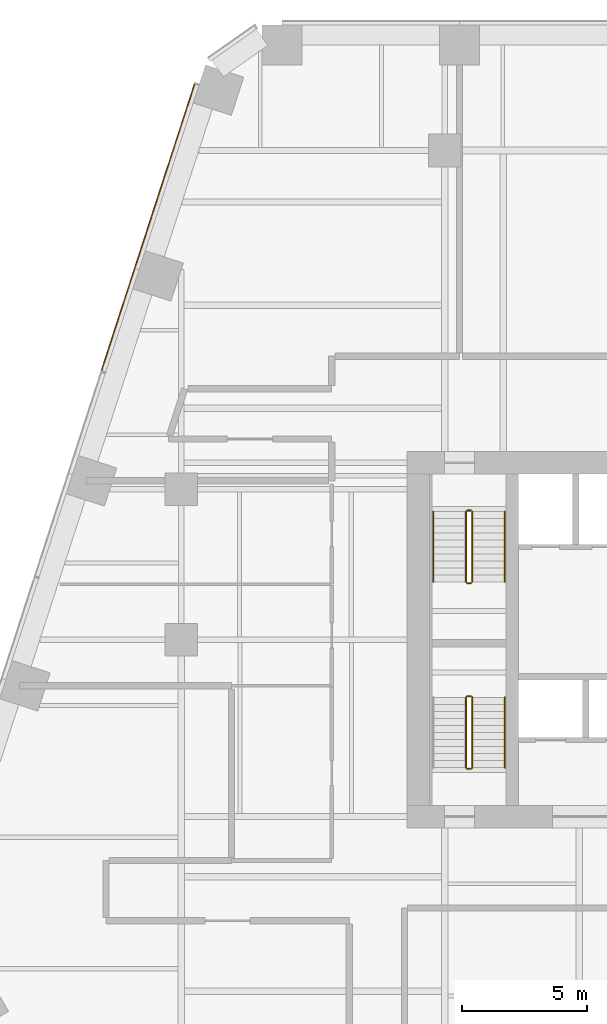
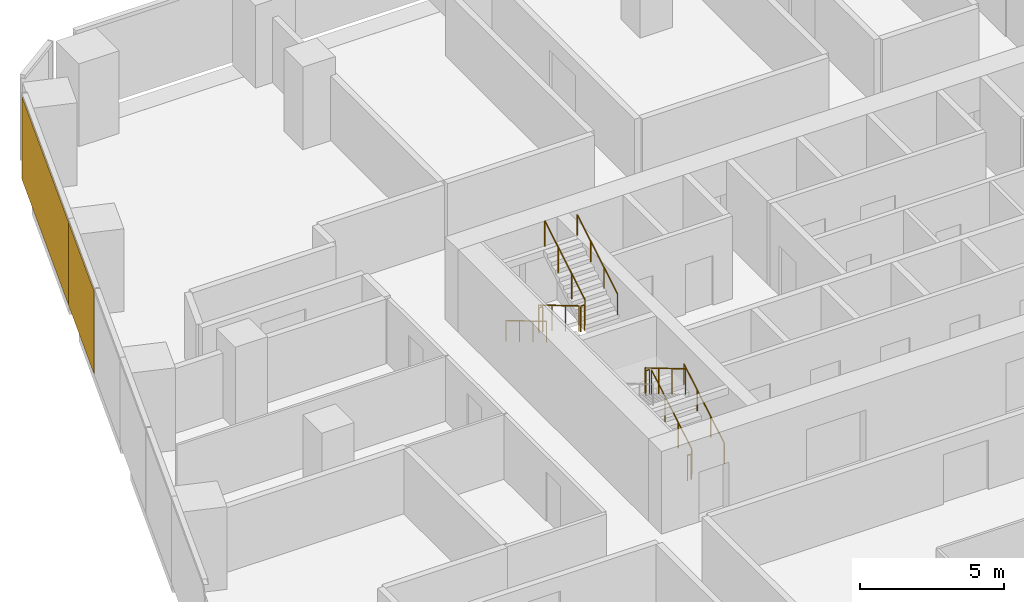
# One storey, part 19 of 21: 11 railings, 2 coverings, 1 element without a shape of its own.
"""IFC4 building model written with IfcOpenShell, lengths in metres."""

import ifcopenshell
import ifcopenshell.guid

model = None  # the IFC model being written
_history = None  # IfcOwnerHistory: only IFC2X3 demands one
_inside = {}  # id of a spatial element -> (the spatial element, [elements in it])
_under = {}  # id of a project, library or spatial element -> (it, [spatial elements below it])
_declared = {}  # id of a project -> (the project, [libraries it declares])
_typed = {}  # id of a type object -> (the type object, [elements of that type])
_made_of = {}  # id of a material, layer set ... -> (it, [elements and type objects made of it])


def new_model(schema):
    """Start an empty IFC model of exactly this schema.

    Asked for "IFC4X3", IfcOpenShell would pick the latest addendum, in which some entities
    have other attributes; the version numbers below select the first issue.
    IFC2X3 requires an IfcOwnerHistory on every rooted entity: one is made here for all.
    """
    global model, _history
    if schema == "IFC4X3":
        model = ifcopenshell.file(schema_version=(4, 3, 0, 0))
    else:
        model = ifcopenshell.file(schema=schema)
    _inside.clear()
    _under.clear()
    _declared.clear()
    _typed.clear()
    _made_of.clear()
    _history = None
    if model.schema == "IFC2X3":
        org = make("IfcOrganization", Name="unknown")
        user = make(
            "IfcPersonAndOrganization",
            ThePerson=make("IfcPerson", FamilyName="unknown"),
            TheOrganization=org,
        )
        app = make(
            "IfcApplication",
            ApplicationDeveloper=org,
            Version="unknown",
            ApplicationFullName="unknown",
            ApplicationIdentifier="unknown",
        )
        _history = make(
            "IfcOwnerHistory",
            OwningUser=user,
            OwningApplication=app,
            ChangeAction="ADDED",
            CreationDate=0,
        )
    return model


def make(cls, **values):
    """One entity of the class cls with the attributes given. An attribute that is None is left unset."""
    return model.create_entity(
        cls, **{name: value for name, value in values.items() if value is not None}
    )


def rooted(cls, **values):
    """An entity with a GlobalId (a new one), such as an element, a storey or a relation."""
    return make(cls, GlobalId=ifcopenshell.guid.new(), OwnerHistory=_history, **values)


def si_unit(unit_type, name, prefix=None):
    """IfcSIUnit, for example si_unit("LENGTHUNIT", "METRE", prefix="MILLI")."""
    return make("IfcSIUnit", UnitType=unit_type, Prefix=prefix, Name=name)


def assignment(units):
    """IfcUnitAssignment: the units of a project."""
    return None if units is None else make("IfcUnitAssignment", Units=units)


def point(xyz):
    """IfcCartesianPoint."""
    return None if xyz is None else make("IfcCartesianPoint", Coordinates=xyz)


def direction(xyz):
    """IfcDirection."""
    return None if xyz is None else make("IfcDirection", DirectionRatios=xyz)


def frame(location, z_axis=None, x_axis=None):
    """IfcAxis2Placement3D, a coordinate frame: its origin and axes. An axis left out is left unset."""
    return make(
        "IfcAxis2Placement3D",
        Location=point(location),
        Axis=direction(z_axis),
        RefDirection=direction(x_axis),
    )


def frame_2d(location, x_axis=None):
    """IfcAxis2Placement2D, a coordinate frame in the plane: its origin and x axis."""
    return make(
        "IfcAxis2Placement2D", Location=point(location), RefDirection=direction(x_axis)
    )


def origin():
    """The frame at (0, 0, 0) with its axes left unset."""
    return frame((0.0, 0.0, 0.0))


def origin_2d():
    """The frame at (0, 0) in the plane with its x axis left unset."""
    return frame_2d((0.0, 0.0))


def place(relative_to, where):
    """IfcLocalPlacement: puts the frame where relative to a parent placement (None: the world)."""
    return make(
        "IfcLocalPlacement", PlacementRelTo=relative_to, RelativePlacement=where
    )


def context(
    kind, dimensions, precision=None, world=None, true_north=None, identifier=None
):
    """IfcGeometricRepresentationContext, for example the 3D "Model" context."""
    return make(
        "IfcGeometricRepresentationContext",
        ContextIdentifier=identifier,
        ContextType=kind,
        CoordinateSpaceDimension=dimensions,
        Precision=precision,
        WorldCoordinateSystem=world,
        TrueNorth=true_north,
    )


def subcontext(parent, identifier, kind, view, scale=None):
    """IfcGeometricRepresentationSubContext, for example "Body" below "Model"."""
    return make(
        "IfcGeometricRepresentationSubContext",
        ContextIdentifier=identifier,
        ContextType=kind,
        ParentContext=parent,
        TargetScale=scale,
        TargetView=view,
    )


def project(units=None, contexts=None):
    """IfcProject with its units and contexts."""
    return rooted(
        "IfcProject",
        Name="project",
        RepresentationContexts=contexts,
        UnitsInContext=assignment(units),
    )


def spatial(cls, under=None, at=None, **own):
    """A site, building, storey or space (cls), placed at a placement, below another one or the project."""
    s = rooted(cls, ObjectPlacement=at, **own)
    if under is not None:
        _under.setdefault(under.id(), (under, []))[1].append(s)
    return s


def profile(cls, at=None, kind="AREA", **sizes):
    """A parametric profile (cls). Its sizes go by their IFC names, for example OverallWidth=200.0."""
    return make(cls, ProfileType=kind, Position=at, **sizes)


def rectangle(**sizes):
    """IfcRectangleProfileDef."""
    return profile("IfcRectangleProfileDef", **sizes)


def circle(**sizes):
    """IfcCircleProfileDef."""
    return profile("IfcCircleProfileDef", **sizes)


def extrude(swept, where, along, depth):
    """IfcExtrudedAreaSolid: the profile swept, set in the frame where, extruded along a direction by depth."""
    return make(
        "IfcExtrudedAreaSolid",
        SweptArea=swept,
        Position=where,
        ExtrudedDirection=direction(along),
        Depth=depth,
    )


def shape(context_of_items, identifier, shape_type, items):
    """IfcShapeRepresentation: the items that make up one representation, for example the "Body"."""
    return make(
        "IfcShapeRepresentation",
        ContextOfItems=context_of_items,
        RepresentationIdentifier=identifier,
        RepresentationType=shape_type,
        Items=items,
    )


def material(Name=None, Category=None):
    """IfcMaterial."""
    return make("IfcMaterial", Name=Name, Category=Category)


def layer(
    of_material, thickness, ventilated=None, Name=None, Category=None, Priority=None
):
    """IfcMaterialLayer: one layer of a wall or slab, of a material (None: an air gap)."""
    return make(
        "IfcMaterialLayer",
        Material=of_material,
        LayerThickness=thickness,
        IsVentilated=ventilated,
        Name=Name,
        Category=Category,
        Priority=Priority,
    )


def layer_set(layers, Name=None):
    """IfcMaterialLayerSet."""
    return make("IfcMaterialLayerSet", MaterialLayers=layers, LayerSetName=Name)


def made_of(thing, what):
    """Note that an element or type object is made of a material, layer set ...; save() writes the relation."""
    if what is not None:
        _made_of.setdefault(what.id(), (what, []))[1].append(thing)
    return thing


def type_object(cls, material=None, **own):
    """A type object (cls), such as IfcWallType, which elements share."""
    return made_of(rooted(cls, **own), material)


def element(
    cls,
    number,
    at=None,
    inside=None,
    cuts=None,
    type_object=None,
    material=None,
    context=None,
    identifier="Body",
    shape_type=None,
    held_by="IfcProductDefinitionShape",
    body=None,
    shapes=None,
    **own,
):
    """One element of the class cls, such as IfcWall. Its Tag is "e" and its number.

    at: its placement. inside: the storey or other place that contains it. cuts: it is an
    opening in that element (IfcRelVoidsElement). A single representation is given by context,
    identifier, shape_type and body (its items); several are given by shapes. held_by: the class
    of the entity that holds the representations. save() writes the other relations.
    """
    e = rooted(cls, Tag="e%d" % number, ObjectPlacement=at, **own)
    if body is not None:
        shapes = [shape(context, identifier, shape_type, body)]
    if shapes is not None:
        e.Representation = make(held_by, Representations=shapes)
    if inside is not None:
        _inside.setdefault(inside.id(), (inside, []))[1].append(e)
    if cuts is not None:
        rooted(
            "IfcRelVoidsElement", RelatingBuildingElement=cuts, RelatedOpeningElement=e
        )
    if type_object is not None:
        _typed.setdefault(type_object.id(), (type_object, []))[1].append(e)
    return made_of(e, material)


def aggregate(whole, parts):
    """IfcRelAggregates: a whole, such as a stair, and the parts it consists of."""
    return rooted("IfcRelAggregates", RelatingObject=whole, RelatedObjects=parts)


def save(model, path):
    """Write the relations noted so far, then the file.

    IfcRelAggregates (storeys below a building ...), IfcRelContainedInSpatialStructure (elements
    in a storey), IfcRelDefinesByType, IfcRelAssociatesMaterial and IfcRelDeclares: one each for
    every whole, place, type object, material and project.
    """
    for whole, parts in _under.values():
        aggregate(whole, parts)
    for where, things in _inside.values():
        rooted(
            "IfcRelContainedInSpatialStructure",
            RelatedElements=things,
            RelatingStructure=where,
        )
    for kind, things in _typed.values():
        rooted("IfcRelDefinesByType", RelatedObjects=things, RelatingType=kind)
    for what, things in _made_of.values():
        rooted("IfcRelAssociatesMaterial", RelatedObjects=things, RelatingMaterial=what)
    for by, libraries in _declared.values():
        rooted("IfcRelDeclares", RelatingContext=by, RelatedDefinitions=libraries)
    model.write(path)


model = new_model("IFC4")

# Units and contexts
model_context = context("Model", 3, precision=1e-05, world=origin(), true_north=direction((0.0, 1.0)))
body_context = subcontext(model_context, "Body", "Model", "MODEL_VIEW")
ifc_project = project(units=[si_unit("LENGTHUNIT", "METRE"), si_unit("AREAUNIT", "SQUARE_METRE"), si_unit("VOLUMEUNIT", "CUBIC_METRE"), si_unit("PLANEANGLEUNIT", "RADIAN"), si_unit("MASSUNIT", "GRAM", prefix="KILO")], contexts=[model_context])

# Site, building, storey
site_placement = place(None, origin())
site = spatial("IfcSite", under=ifc_project, at=site_placement, CompositionType="ELEMENT")
building_placement = place(site_placement, origin())
building = spatial("IfcBuilding", under=site, at=building_placement, Name="Isthmus Gate Tower", CompositionType="ELEMENT")
storey_placement = place(building_placement, frame((0.0, 0.0, 102.550048828125)))
storey = spatial("IfcBuildingStorey", under=building, at=storey_placement, Name="L24", CompositionType="ELEMENT", Elevation=102.550048828125)

# Curtain wall, coverings
ifc_material_1 = material(Name="Aluminium, pale champagne anodised", Category="aluminium")
ifc_layer_1 = layer(ifc_material_1, 0.199951171875)
ifc_layer_set_1 = layer_set([ifc_layer_1], Name="CW-1 UNITISED CURTAIN WALL 200 DEEP")
curtain_wall_type = type_object("IfcCurtainWallType", Name="CW-1 UNITISED CURTAIN WALL 200 DEEP", PredefinedType="NOTDEFINED", material=ifc_layer_set_1)
curtain_wall_placement = place(storey_placement, origin())
curtain_wall = element("IfcCurtainWall", 1, at=curtain_wall_placement, inside=storey, type_object=curtain_wall_type, Name="CW-1 NW L24", PredefinedType="NOTDEFINED")
ifc_material_2 = material(Name="Aluminium composite panel, pale champagne anodised", Category="aluminium")
ifc_layer_2 = layer(ifc_material_2, 0.0400390625)
ifc_layer_set_2 = layer_set([ifc_layer_2], Name="CW-1 PALE METAL PANEL 40")
covering_type = type_object("IfcCoveringType", Name="CW-1 PALE METAL PANEL 40", PredefinedType="CLADDING", material=ifc_layer_set_2)
covering_1_placement = place(storey_placement, frame((-24.660400390625, 25.97705078125, 0.0), z_axis=(0.0, 0.0, 1.0), x_axis=(-0.309016994375, -0.951056516295, 0.0)))
covering_1 = element("IfcCovering", 2, at=covering_1_placement, type_object=covering_type, Name="CW-1 pale metal panel", PredefinedType="CLADDING", context=body_context, shape_type="SweptSolid", body=[
    extrude(rectangle(XDim=7.729248046875, YDim=0.0400390625, at=origin_2d()), origin(), (0.0, 0.0, 1.0), 3.5),
])
covering_2_placement = place(storey_placement, frame((-26.51806640625, 20.25927734375, 0.0), z_axis=(0.0, 0.0, 1.0), x_axis=(-0.309016994375, -0.951056516295, 0.0)))
covering_2 = element("IfcCovering", 3, at=covering_2_placement, type_object=covering_type, Name="CW-1 pale metal panel", PredefinedType="CLADDING", context=body_context, shape_type="SweptSolid", body=[
    extrude(rectangle(XDim=4.294677734375, YDim=0.0400390625, at=origin_2d()), origin(), (0.0, 0.0, 1.0), 3.5),
])
aggregate(curtain_wall, [covering_1, covering_2])

# Railings
ifc_material_3 = material(Name="Stainless steel balustrade", Category="steel")
railing_type_1 = type_object("IfcRailingType", Name="STAIR GUARD 1100", PredefinedType="GUARDRAIL", material=ifc_material_3)
railing_1_placement = place(storey_placement, frame((-12.64990234375, 12.60009765625, 0.165771484375)))
element("IfcRailing", 4, at=railing_1_placement, inside=storey, type_object=railing_type_1, Name="L24 ST1 stair guard 1", PredefinedType="GUARDRAIL", context=body_context, shape_type="SweptSolid", body=[
    extrude(circle(Radius=0.02392578125, at=origin_2d()), frame((0.0, 0.0, 1.076171875), z_axis=(0.0, -0.860306154799, 0.50977771628), x_axis=(1.0, 0.0, 0.0)), (0.0, 0.0, 1.0), 3.254638671875),
    extrude(circle(Radius=0.02099609375, at=origin_2d()), origin(), (0.0, 0.0, 1.0), 1.052001953125),
    extrude(circle(Radius=0.02099609375, at=origin_2d()), frame((0.0, -0.933349609375, 0.552978515625)), (0.0, 0.0, 1.0), 1.052001953125),
    extrude(circle(Radius=0.02099609375, at=origin_2d()), frame((0.0, -1.86669921875, 1.106201171875)), (0.0, 0.0, 1.0), 1.052001953125),
    extrude(circle(Radius=0.02099609375, at=origin_2d()), frame((0.0, -2.800048828125, 1.6591796875)), (0.0, 0.0, 1.0), 1.052001953125),
])
railing_2_placement = place(storey_placement, frame((-12.60009765625, 9.75, 1.824951171875)))
element("IfcRailing", 5, at=railing_2_placement, inside=storey, type_object=railing_type_1, Name="L24 ST1 stair guard 2", PredefinedType="GUARDRAIL", context=body_context, shape_type="SweptSolid", body=[
    extrude(circle(Radius=0.02392578125, at=origin_2d()), frame((0.0, 0.0, 1.076171875), z_axis=(1.0, 0.0, 0.0), x_axis=(0.0, 1.0, 0.0)), (0.0, 0.0, 1.0), 0.150146484375),
    extrude(circle(Radius=0.02099609375, at=origin_2d()), origin(), (0.0, 0.0, 1.0), 1.052001953125),
    extrude(circle(Radius=0.02099609375, at=origin_2d()), frame((0.150146484375, 0.0, 0.0)), (0.0, 0.0, 1.0), 1.052001953125),
])
railing_3_placement = place(storey_placement, frame((-12.39990234375, 9.800048828125, 1.990966796875)))
element("IfcRailing", 6, at=railing_3_placement, inside=storey, type_object=railing_type_1, Name="L24 ST1 stair guard 3", PredefinedType="GUARDRAIL", context=body_context, shape_type="SweptSolid", body=[
    extrude(circle(Radius=0.02392578125, at=origin_2d()), frame((0.0, 0.0, 1.076171875), z_axis=(0.0, 0.860339051648, 0.50972219513), x_axis=(-1.0, 0.0, 0.0)), (0.0, 0.0, 1.0), 3.254638671875),
    extrude(circle(Radius=0.02099609375, at=origin_2d()), origin(), (0.0, 0.0, 1.0), 1.052001953125),
    extrude(circle(Radius=0.02099609375, at=origin_2d()), frame((0.0, 0.933349609375, 0.552978515625)), (0.0, 0.0, 1.0), 1.052001953125),
    extrude(circle(Radius=0.02099609375, at=origin_2d()), frame((0.0, 1.86669921875, 1.10595703125)), (0.0, 0.0, 1.0), 1.052001953125),
    extrude(circle(Radius=0.02099609375, at=origin_2d()), frame((0.0, 2.800048828125, 1.658935546875)), (0.0, 0.0, 1.0), 1.052001953125),
])
railing_4_placement = place(storey_placement, frame((-12.60009765625, 12.64990234375, 0.0)))
element("IfcRailing", 7, at=railing_4_placement, inside=storey, type_object=railing_type_1, Name="L24 ST1 stair guard 4", PredefinedType="GUARDRAIL", context=body_context, shape_type="SweptSolid", body=[
    extrude(circle(Radius=0.02392578125, at=origin_2d()), frame((0.0, 0.0, 1.076171875), z_axis=(1.0, 0.0, 0.0), x_axis=(0.0, 1.0, 0.0)), (0.0, 0.0, 1.0), 0.150146484375),
    extrude(circle(Radius=0.02099609375, at=origin_2d()), origin(), (0.0, 0.0, 1.0), 1.052001953125),
    extrude(circle(Radius=0.02099609375, at=origin_2d()), frame((0.150146484375, 0.0, 0.0)), (0.0, 0.0, 1.0), 1.052001953125),
])
railing_5_placement = place(storey_placement, frame((-12.39990234375, 2.39990234375, 0.165771484375)))
element("IfcRailing", 8, at=railing_5_placement, inside=storey, type_object=railing_type_1, Name="L24 ST7 stair guard 1", PredefinedType="GUARDRAIL", context=body_context, shape_type="SweptSolid", body=[
    extrude(circle(Radius=0.02392578125, at=origin_2d()), frame((0.0, 0.0, 1.076171875), z_axis=(0.0, 0.860306154799, 0.50977771628), x_axis=(-1.0, 0.0, 0.0)), (0.0, 0.0, 1.0), 3.254638671875),
    extrude(circle(Radius=0.02099609375, at=origin_2d()), origin(), (0.0, 0.0, 1.0), 1.052001953125),
    extrude(circle(Radius=0.02099609375, at=origin_2d()), frame((0.0, 0.933349609375, 0.552978515625)), (0.0, 0.0, 1.0), 1.052001953125),
    extrude(circle(Radius=0.02099609375, at=origin_2d()), frame((0.0, 1.86669921875, 1.106201171875)), (0.0, 0.0, 1.0), 1.052001953125),
    extrude(circle(Radius=0.02099609375, at=origin_2d()), frame((0.0, 2.800048828125, 1.6591796875)), (0.0, 0.0, 1.0), 1.052001953125),
])
railing_6_placement = place(storey_placement, frame((-12.449951171875, 5.25, 1.824951171875)))
element("IfcRailing", 9, at=railing_6_placement, inside=storey, type_object=railing_type_1, Name="L24 ST7 stair guard 2", PredefinedType="GUARDRAIL", context=body_context, shape_type="SweptSolid", body=[
    extrude(circle(Radius=0.02392578125, at=origin_2d()), frame((0.0, 0.0, 1.076171875), z_axis=(-1.0, 0.0, 0.0), x_axis=(0.0, -1.0, 0.0)), (0.0, 0.0, 1.0), 0.150146484375),
    extrude(circle(Radius=0.02099609375, at=origin_2d()), origin(), (0.0, 0.0, 1.0), 1.052001953125),
    extrude(circle(Radius=0.02099609375, at=origin_2d()), frame((-0.150146484375, 0.0, 0.0)), (0.0, 0.0, 1.0), 1.052001953125),
])
railing_7_placement = place(storey_placement, frame((-12.64990234375, 5.199951171875, 1.990966796875)))
element("IfcRailing", 10, at=railing_7_placement, inside=storey, type_object=railing_type_1, Name="L24 ST7 stair guard 3", PredefinedType="GUARDRAIL", context=body_context, shape_type="SweptSolid", body=[
    extrude(circle(Radius=0.02392578125, at=origin_2d()), frame((0.0, 0.0, 1.076171875), z_axis=(0.0, -0.860339051648, 0.50972219513), x_axis=(1.0, 0.0, 0.0)), (0.0, 0.0, 1.0), 3.254638671875),
    extrude(circle(Radius=0.02099609375, at=origin_2d()), origin(), (0.0, 0.0, 1.0), 1.052001953125),
    extrude(circle(Radius=0.02099609375, at=origin_2d()), frame((0.0, -0.933349609375, 0.552978515625)), (0.0, 0.0, 1.0), 1.052001953125),
    extrude(circle(Radius=0.02099609375, at=origin_2d()), frame((0.0, -1.86669921875, 1.10595703125)), (0.0, 0.0, 1.0), 1.052001953125),
    extrude(circle(Radius=0.02099609375, at=origin_2d()), frame((0.0, -2.800048828125, 1.658935546875)), (0.0, 0.0, 1.0), 1.052001953125),
])
railing_8_placement = place(storey_placement, frame((-12.449951171875, 2.35009765625, 0.0)))
element("IfcRailing", 11, at=railing_8_placement, inside=storey, type_object=railing_type_1, Name="L24 ST7 stair guard 4", PredefinedType="GUARDRAIL", context=body_context, shape_type="SweptSolid", body=[
    extrude(circle(Radius=0.02392578125, at=origin_2d()), frame((0.0, 0.0, 1.076171875), z_axis=(-1.0, 0.0, 0.0), x_axis=(0.0, -1.0, 0.0)), (0.0, 0.0, 1.0), 0.150146484375),
    extrude(circle(Radius=0.02099609375, at=origin_2d()), origin(), (0.0, 0.0, 1.0), 1.052001953125),
    extrude(circle(Radius=0.02099609375, at=origin_2d()), frame((-0.150146484375, 0.0, 0.0)), (0.0, 0.0, 1.0), 1.052001953125),
])
ifc_material_4 = material(Name="Stainless steel handrail", Category="steel")
railing_type_2 = type_object("IfcRailingType", Name="STAIR HANDRAIL 900", PredefinedType="HANDRAIL", material=ifc_material_4)
railing_9_placement = place(storey_placement, frame((-13.949951171875, 12.60009765625, 0.165771484375)))
element("IfcRailing", 12, at=railing_9_placement, inside=storey, type_object=railing_type_2, Name="L24 ST1 stair handrail 1", PredefinedType="HANDRAIL", context=body_context, shape_type="SweptSolid", body=[
    extrude(circle(Radius=0.02392578125, at=origin_2d()), frame((0.0, 0.0, 0.8759765625), z_axis=(0.0, -0.860306154799, 0.50977771628), x_axis=(1.0, 0.0, 0.0)), (0.0, 0.0, 1.0), 3.254638671875),
    extrude(circle(Radius=0.02099609375, at=origin_2d()), origin(), (0.0, 0.0, 1.0), 0.851806640625),
    extrude(circle(Radius=0.02099609375, at=origin_2d()), frame((0.0, -0.933349609375, 0.552978515625)), (0.0, 0.0, 1.0), 0.851806640625),
    extrude(circle(Radius=0.02099609375, at=origin_2d()), frame((0.0, -1.86669921875, 1.106201171875)), (0.0, 0.0, 1.0), 0.851806640625),
    extrude(circle(Radius=0.02099609375, at=origin_2d()), frame((0.0, -2.800048828125, 1.6591796875)), (0.0, 0.0, 1.0), 0.851806640625),
])
railing_10_placement = place(storey_placement, frame((-11.10009765625, 9.800048828125, 1.990966796875)))
element("IfcRailing", 13, at=railing_10_placement, inside=storey, type_object=railing_type_2, Name="L24 ST1 stair handrail 2", PredefinedType="HANDRAIL", context=body_context, shape_type="SweptSolid", body=[
    extrude(circle(Radius=0.02392578125, at=origin_2d()), frame((0.0, 0.0, 0.8759765625), z_axis=(0.0, 0.860339051648, 0.50972219513), x_axis=(-1.0, 0.0, 0.0)), (0.0, 0.0, 1.0), 3.254638671875),
    extrude(circle(Radius=0.02099609375, at=origin_2d()), origin(), (0.0, 0.0, 1.0), 0.851806640625),
    extrude(circle(Radius=0.02099609375, at=origin_2d()), frame((0.0, 0.933349609375, 0.552978515625)), (0.0, 0.0, 1.0), 0.851806640625),
    extrude(circle(Radius=0.02099609375, at=origin_2d()), frame((0.0, 1.86669921875, 1.10595703125)), (0.0, 0.0, 1.0), 0.851806640625),
    extrude(circle(Radius=0.02099609375, at=origin_2d()), frame((0.0, 2.800048828125, 1.658935546875)), (0.0, 0.0, 1.0), 0.851806640625),
])
railing_11_placement = place(storey_placement, frame((-11.10009765625, 2.39990234375, 0.165771484375)))
element("IfcRailing", 14, at=railing_11_placement, inside=storey, type_object=railing_type_2, Name="L24 ST7 stair handrail 1", PredefinedType="HANDRAIL", context=body_context, shape_type="SweptSolid", body=[
    extrude(circle(Radius=0.02392578125, at=origin_2d()), frame((0.0, 0.0, 0.8759765625), z_axis=(0.0, 0.860306154799, 0.50977771628), x_axis=(-1.0, 0.0, 0.0)), (0.0, 0.0, 1.0), 3.254638671875),
    extrude(circle(Radius=0.02099609375, at=origin_2d()), origin(), (0.0, 0.0, 1.0), 0.851806640625),
    extrude(circle(Radius=0.02099609375, at=origin_2d()), frame((0.0, 0.933349609375, 0.552978515625)), (0.0, 0.0, 1.0), 0.851806640625),
    extrude(circle(Radius=0.02099609375, at=origin_2d()), frame((0.0, 1.86669921875, 1.106201171875)), (0.0, 0.0, 1.0), 0.851806640625),
    extrude(circle(Radius=0.02099609375, at=origin_2d()), frame((0.0, 2.800048828125, 1.6591796875)), (0.0, 0.0, 1.0), 0.851806640625),
])

save(model, "model.ifc")
